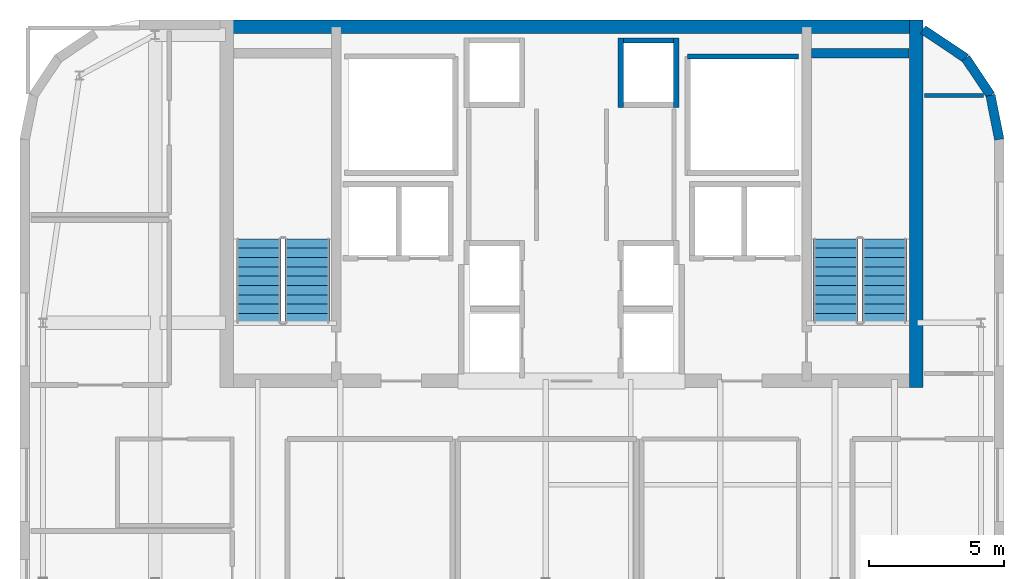
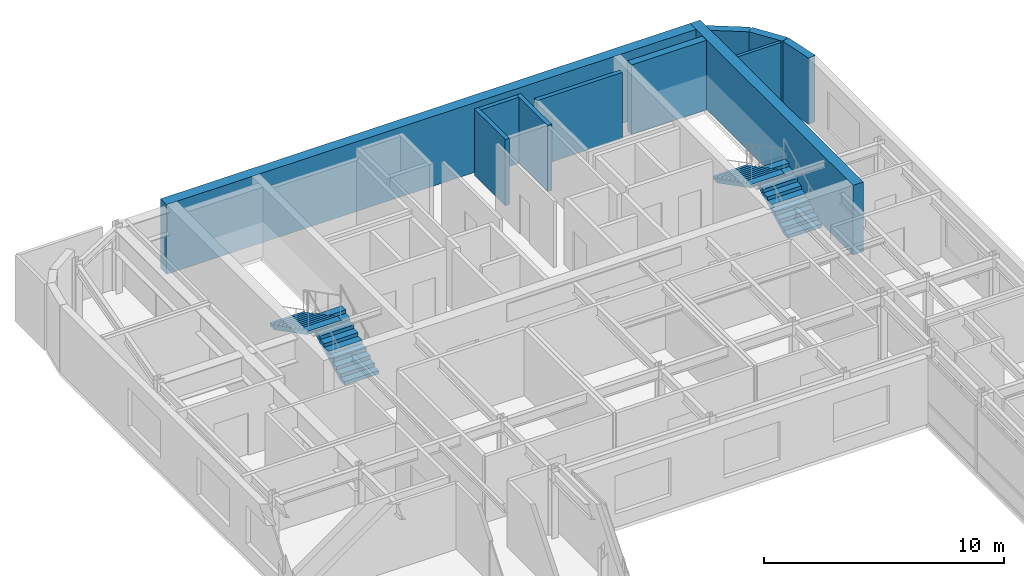
# One storey, part 17 of 18: 11 walls, 4 stair flights, 2 elements without a shape of their own.
"""IFC4 building model written with IfcOpenShell, lengths in metres."""

from ifc_helpers import new_model, si_unit, direction, frame, frame_2d, origin, place, context, subcontext, project, spatial, polyline, rectangle, outline, extrude, material, layer, layer_set, type_object, element, aggregate, save


model = new_model("IFC4")

# Units and contexts
model_context = context("Model", 3, precision=1e-05, world=origin(), true_north=direction((0.0, 1.0)))
body_context = subcontext(model_context, "Body", "Model", "MODEL_VIEW")
ifc_project = project(units=[si_unit("LENGTHUNIT", "METRE"), si_unit("AREAUNIT", "SQUARE_METRE"), si_unit("VOLUMEUNIT", "CUBIC_METRE"), si_unit("PLANEANGLEUNIT", "RADIAN"), si_unit("MASSUNIT", "GRAM", prefix="KILO")], contexts=[model_context])

# Site, building, storey
site_placement = place(None, origin())
site = spatial("IfcSite", under=ifc_project, at=site_placement, CompositionType="ELEMENT")
building_placement = place(site_placement, origin())
building = spatial("IfcBuilding", under=site, at=building_placement, Name="Tolvann Quenvar Hotel", CompositionType="ELEMENT")
storey_placement = place(building_placement, frame((0.0, 0.0, 259.39990234375)))
storey = spatial("IfcBuildingStorey", under=building, at=storey_placement, Name="L69", CompositionType="ELEMENT", Elevation=259.39990234375)

# Walls
ifc_material_1 = material(Name="Concrete N50 (50 MPa)", Category="concrete")
ifc_layer_1 = layer(ifc_material_1, 0.5)
ifc_layer_set_1 = layer_set([ifc_layer_1], Name="Concrete N50 (50 MPa)")
wall_type_1 = type_object("IfcWallType", Name="WALL_CORE_500", PredefinedType="SHEAR", material=ifc_layer_set_1)
wall_1_placement = place(storey_placement, frame((10.0, 44.949951171875, 0.0), z_axis=(0.0, 0.0, 1.0), x_axis=(1.0, 0.0, 0.0)))
element("IfcWall", 1, at=wall_1_placement, inside=storey, type_object=wall_type_1, Name="Rear Core N Shear Wall (L69)", PredefinedType="SHEAR", context=body_context, shape_type="SweptSolid", body=[
    extrude(rectangle(XDim=26.0, YDim=0.5, at=frame_2d((13.0, 0.0))), origin(), (0.0, 0.0, 1.0), 3.550048828125),
])
wall_2_placement = place(storey_placement, frame((35.75, 31.60009765625, 0.0), z_axis=(0.0, 0.0, 1.0), x_axis=(0.0, 1.0, 0.0)))
element("IfcWall", 2, at=wall_2_placement, inside=storey, type_object=wall_type_1, Name="Rear Core E Shear Wall (L69)", PredefinedType="SHEAR", context=body_context, shape_type="SweptSolid", body=[
    extrude(rectangle(XDim=13.599853515625, YDim=0.5, at=frame_2d((6.7998046875, 0.0))), origin(), (0.0, 0.0, 1.0), 3.550048828125),
])
ifc_material_2 = material(Name="Concrete S65 (65 MPa)", Category="concrete")
ifc_layer_2 = layer(ifc_material_2, 0.35009765625)
ifc_layer_set_2 = layer_set([ifc_layer_2], Name="Concrete S65 (65 MPa)")
wall_type_2 = type_object("IfcWallType", Name="WALL_CORE_INT_350", PredefinedType="SHEAR", material=ifc_layer_set_2)
wall_3_placement = place(storey_placement, frame((31.8798828125, 43.97509765625, 0.0), z_axis=(0.0, 0.0, 1.0), x_axis=(1.0, 0.0, 0.0)))
element("IfcWall", 3, at=wall_3_placement, inside=storey, type_object=wall_type_2, Name="Core Stair North Closing Shear Wall STC2-N (L69)", PredefinedType="SHEAR", context=body_context, shape_type="SweptSolid", body=[
    extrude(rectangle(XDim=3.60009765625, YDim=0.35009765625, at=frame_2d((1.800048828125, 0.0))), origin(), (0.0, 0.0, 1.0), 3.550048828125),
])
ifc_material_3 = material(Name="Kiln-fired red and buff architectural clay brickwork and terracotta masonry", Category="masonry")
ifc_layer_3 = layer(ifc_material_3, 0.35009765625)
ifc_layer_set_3 = layer_set([ifc_layer_3], Name="Kiln-fired red and buff architectural clay brickwork and terracotta masonry")
wall_type_3 = type_object("IfcWallType", Name="WALL_EXT_BRICK_350", PredefinedType="SOLIDWALL", material=ifc_layer_set_3)
wall_4_placement = place(storey_placement, frame((38.824951171875, 40.78271484375, 0.0), z_axis=(0.0, 0.0, 1.0), x_axis=(-0.195044345786, 0.980794424524, 0.0)))
element("IfcWall", 4, at=wall_4_placement, inside=storey, type_object=wall_type_3, Name="Exterior Chicago Brick Wall L69-E14", PredefinedType="SOLIDWALL", context=body_context, shape_type="SweptSolid", body=[
    extrude(rectangle(XDim=1.664794921875, YDim=0.35009765625, at=frame_2d((0.83251953125, 0.0))), origin(), (0.0, 0.0, 1.0), 3.3701171875),
])
wall_5_placement = place(storey_placement, frame((38.500244140625, 42.41552734375, 0.0), z_axis=(0.0, 0.0, 1.0), x_axis=(-0.555520825599, 0.831502623162, 0.0)))
element("IfcWall", 5, at=wall_5_placement, inside=storey, type_object=wall_type_3, Name="Exterior Chicago Brick Wall L69-E15", PredefinedType="SOLIDWALL", context=body_context, shape_type="SweptSolid", body=[
    extrude(rectangle(XDim=1.647216796875, YDim=0.35009765625, at=frame_2d((0.82373046875, 0.0))), origin(), (0.0, 0.0, 1.0), 3.3701171875),
])
wall_6_placement = place(storey_placement, frame((37.585205078125, 43.78515625, 0.0), z_axis=(0.0, 0.0, 1.0), x_axis=(-0.831516639465, 0.555499845448, 0.0)))
element("IfcWall", 6, at=wall_6_placement, inside=storey, type_object=wall_type_3, Name="Exterior Chicago Brick Wall L69-E16", PredefinedType="SOLIDWALL", context=body_context, shape_type="SweptSolid", body=[
    extrude(rectangle(XDim=1.901611328125, YDim=0.35009765625, at=frame_2d((0.95068359375, 0.0))), origin(), (0.0, 0.0, 1.0), 3.3701171875),
])
ifc_material_4 = material(Name="Acoustic twin-stud fire-rated gypsum plasterboard partition")
ifc_layer_4 = layer(ifc_material_4, 0.14990234375)
ifc_layer_set_4 = layer_set([ifc_layer_4], Name="Acoustic twin-stud fire-rated gypsum plasterboard partition")
wall_type_4 = type_object("IfcWallType", Name="WALL_PART_SUITE_150", PredefinedType="PARTITIONING", material=ifc_layer_set_4)
wall_7_placement = place(storey_placement, frame((36.054931640625, 42.39990234375, 0.0), z_axis=(0.0, 0.0, 1.0), x_axis=(1.0, 0.0, 0.0)))
element("IfcWall", 7, at=wall_7_placement, inside=storey, type_object=wall_type_4, Name="Interior Partition PT-SPC-L69-RECPL-P-N", PredefinedType="PARTITIONING", context=body_context, shape_type="SweptSolid", body=[
    extrude(rectangle(XDim=2.178955078125, YDim=0.14990234375, at=frame_2d((1.08935546875, 0.0))), origin(), (0.0, 0.0, 1.0), 3.3701171875),
])
ifc_material_5 = material(Name="Concrete N40 (40 MPa)", Category="concrete")
ifc_layer_5 = layer(ifc_material_5, 0.199951171875)
ifc_layer_set_5 = layer_set([ifc_layer_5], Name="Concrete N40 (40 MPa)")
wall_type_5 = type_object("IfcWallType", Name="WALL_SHAFT_200", PredefinedType="SOLIDWALL", material=ifc_layer_set_5)
wall_8_placement = place(storey_placement, frame((27.300048828125, 43.85009765625, 0.0), z_axis=(0.0, 0.0, 1.0), x_axis=(1.0, 0.0, 0.0)))
element("IfcWall", 8, at=wall_8_placement, inside=storey, type_object=wall_type_5, Name="Service Riser E Shaft Wall N (L69)", PredefinedType="SOLIDWALL", context=body_context, shape_type="SweptSolid", body=[
    extrude(rectangle(XDim=4.099853515625, YDim=0.199951171875, at=frame_2d((2.0498046875, 0.0))), origin(), (0.0, 0.0, 1.0), 3.3701171875),
])
for number, where, z_axis, x_axis, name in (
    (9, (24.830078125, 41.9599609375, 0.0), (0.0, 0.0, 1.0), (0.0, 1.0, 0.0), "Lift Bank W24.9C2 Hoistway Front Wall (L69)"),
    (10, (26.8701171875, 41.9599609375, 0.0), (0.0, 0.0, 1.0), (0.0, 1.0, 0.0), "Lift Bank W24.9C2 Hoistway Rear Wall (L69)"),
):
    element("IfcWall", number, at=place(storey_placement, frame(where, z_axis=z_axis, x_axis=x_axis)), inside=storey, type_object=wall_type_5, Name=name, PredefinedType="SOLIDWALL", context=body_context, shape_type="SweptSolid", body=[
        extrude(rectangle(XDim=2.580078125, YDim=0.199951171875, at=frame_2d((1.2900390625, 0.0))), origin(), (0.0, 0.0, 1.0), 3.3701171875),
    ])
wall_9_placement = place(storey_placement, frame((24.929931640625, 44.43994140625, 0.0), z_axis=(0.0, 0.0, 1.0), x_axis=(1.0, 0.0, 0.0)))
element("IfcWall", 11, at=wall_9_placement, inside=storey, type_object=wall_type_5, Name="Lift Bank W24.9C2 Hoistway Cheek Wall 2 (L69)", PredefinedType="SOLIDWALL", context=body_context, shape_type="SweptSolid", body=[
    extrude(rectangle(XDim=1.840087890625, YDim=0.199951171875, at=frame_2d((0.919921875, 0.0))), origin(), (0.0, 0.0, 1.0), 3.3701171875),
])

# Stair, stair flights
stair_type = type_object("IfcStairType", Name="STAIR", PredefinedType="HALF_TURN_STAIR", material=ifc_material_5)
stair_1_placement = place(storey_placement, origin())
stair_1 = element("IfcStair", 12, at=stair_1_placement, inside=storey, type_object=stair_type, Name="L69 ST-C1", PredefinedType="HALF_TURN_STAIR")
stair_flight_type = type_object("IfcStairFlightType", Name="STAIR_FLIGHT", PredefinedType="STRAIGHT", material=ifc_material_5)
stair_flight_1_placement = place(storey_placement, frame((13.22509765625, 34.0, 0.0), z_axis=(0.0, 0.0, 1.0), x_axis=(0.0, 1.0, 0.0)))
stair_flight_1 = element("IfcStairFlight", 13, at=stair_flight_1_placement, type_object=stair_flight_type, Name="ST-C1 flight 1", NumberOfRisers=10, NumberOfTreads=9, PredefinedType="STRAIGHT", RiserHeight=0.1775, TreadLength=0.345, context=body_context, shape_type="SweptSolid", body=[
    extrude(outline(polyline([(0.0, 0.0), (0.0, 0.177490234375), (0.344970703125, 0.177490234375), (0.344970703125, 0.35498046875), (0.68994140625, 0.35498046875), (0.68994140625, 0.532470703125), (1.034912109375, 0.532470703125), (1.034912109375, 0.7099609375), (1.3798828125, 0.7099609375), (1.3798828125, 0.887451171875), (1.72509765625, 0.887451171875), (1.72509765625, 1.06494140625), (2.070068359375, 1.06494140625), (2.070068359375, 1.242431640625), (2.4150390625, 1.242431640625), (2.4150390625, 1.419921875), (2.760009765625, 1.419921875), (2.760009765625, 1.597412109375), (3.10498046875, 1.597412109375), (3.10498046875, 1.77490234375), (3.10498046875, 1.428955078125), (0.32763671875, 0.0), (0.0, 0.0)])), frame((0.0, 0.824951171875, 0.0), z_axis=(0.0, -1.0, 0.0), x_axis=(1.0, 0.0, 0.0)), (0.0, 0.0, 1.0), 1.64990234375),
])
stair_flight_2_placement = place(storey_placement, frame((11.425048828125, 37.10498046875, 1.775146484375), z_axis=(0.0, 0.0, 1.0), x_axis=(0.0, -1.0, 0.0)))
stair_flight_2 = element("IfcStairFlight", 14, at=stair_flight_2_placement, type_object=stair_flight_type, Name="ST-C1 flight 2", NumberOfRisers=10, NumberOfTreads=9, PredefinedType="STRAIGHT", RiserHeight=0.1775, TreadLength=0.345, context=body_context, shape_type="SweptSolid", body=[
    extrude(outline(polyline([(0.0, 0.0), (0.0, 0.177490234375), (0.344970703125, 0.177490234375), (0.344970703125, 0.35498046875), (0.68994140625, 0.35498046875), (0.68994140625, 0.532470703125), (1.034912109375, 0.532470703125), (1.034912109375, 0.7099609375), (1.3798828125, 0.7099609375), (1.3798828125, 0.887451171875), (1.72509765625, 0.887451171875), (1.72509765625, 1.06494140625), (2.070068359375, 1.06494140625), (2.070068359375, 1.242431640625), (2.4150390625, 1.242431640625), (2.4150390625, 1.419921875), (2.760009765625, 1.419921875), (2.760009765625, 1.597412109375), (3.10498046875, 1.597412109375), (3.10498046875, 1.77490234375), (3.10498046875, 1.428955078125), (0.32763671875, 0.0), (0.0, 0.0)])), frame((0.0, 0.824951171875, 0.0), z_axis=(0.0, -1.0, 0.0), x_axis=(1.0, 0.0, 0.0)), (0.0, 0.0, 1.0), 1.64990234375),
])
aggregate(stair_1, [stair_flight_1, stair_flight_2])

stair_2_placement = place(storey_placement, origin())
stair_2 = element("IfcStair", 15, at=stair_2_placement, inside=storey, type_object=stair_type, Name="L69 ST-C2", PredefinedType="HALF_TURN_STAIR")
stair_flight_3_placement = place(storey_placement, frame((34.574951171875, 34.0, 0.0), z_axis=(0.0, 0.0, 1.0), x_axis=(0.0, 1.0, 0.0)))
stair_flight_3 = element("IfcStairFlight", 16, at=stair_flight_3_placement, type_object=stair_flight_type, Name="ST-C2 flight 1", NumberOfRisers=10, NumberOfTreads=9, PredefinedType="STRAIGHT", RiserHeight=0.1775, TreadLength=0.345, context=body_context, shape_type="SweptSolid", body=[
    extrude(outline(polyline([(0.0, 0.0), (0.0, 0.177490234375), (0.344970703125, 0.177490234375), (0.344970703125, 0.35498046875), (0.68994140625, 0.35498046875), (0.68994140625, 0.532470703125), (1.034912109375, 0.532470703125), (1.034912109375, 0.7099609375), (1.3798828125, 0.7099609375), (1.3798828125, 0.887451171875), (1.72509765625, 0.887451171875), (1.72509765625, 1.06494140625), (2.070068359375, 1.06494140625), (2.070068359375, 1.242431640625), (2.4150390625, 1.242431640625), (2.4150390625, 1.419921875), (2.760009765625, 1.419921875), (2.760009765625, 1.597412109375), (3.10498046875, 1.597412109375), (3.10498046875, 1.77490234375), (3.10498046875, 1.428955078125), (0.32763671875, 0.0), (0.0, 0.0)])), frame((0.0, 0.824951171875, 0.0), z_axis=(0.0, -1.0, 0.0), x_axis=(1.0, 0.0, 0.0)), (0.0, 0.0, 1.0), 1.64990234375),
])
stair_flight_4_placement = place(storey_placement, frame((32.77490234375, 37.10498046875, 1.775146484375), z_axis=(0.0, 0.0, 1.0), x_axis=(0.0, -1.0, 0.0)))
stair_flight_4 = element("IfcStairFlight", 17, at=stair_flight_4_placement, type_object=stair_flight_type, Name="ST-C2 flight 2", NumberOfRisers=10, NumberOfTreads=9, PredefinedType="STRAIGHT", RiserHeight=0.1775, TreadLength=0.345, context=body_context, shape_type="SweptSolid", body=[
    extrude(outline(polyline([(0.0, 0.0), (0.0, 0.177490234375), (0.344970703125, 0.177490234375), (0.344970703125, 0.35498046875), (0.68994140625, 0.35498046875), (0.68994140625, 0.532470703125), (1.034912109375, 0.532470703125), (1.034912109375, 0.7099609375), (1.3798828125, 0.7099609375), (1.3798828125, 0.887451171875), (1.72509765625, 0.887451171875), (1.72509765625, 1.06494140625), (2.070068359375, 1.06494140625), (2.070068359375, 1.242431640625), (2.4150390625, 1.242431640625), (2.4150390625, 1.419921875), (2.760009765625, 1.419921875), (2.760009765625, 1.597412109375), (3.10498046875, 1.597412109375), (3.10498046875, 1.77490234375), (3.10498046875, 1.428955078125), (0.32763671875, 0.0), (0.0, 0.0)])), frame((0.0, 0.824951171875, 0.0), z_axis=(0.0, -1.0, 0.0), x_axis=(1.0, 0.0, 0.0)), (0.0, 0.0, 1.0), 1.64990234375),
])
aggregate(stair_2, [stair_flight_3, stair_flight_4])

save(model, "model.ifc")
